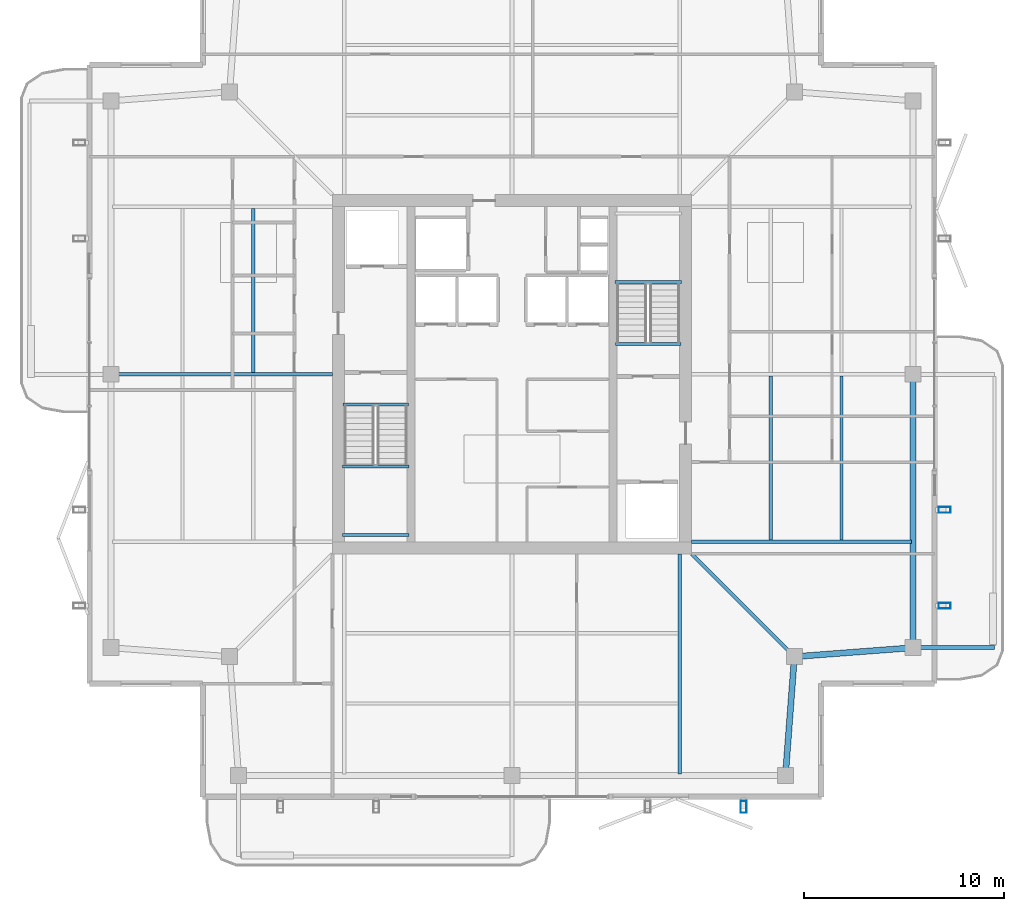
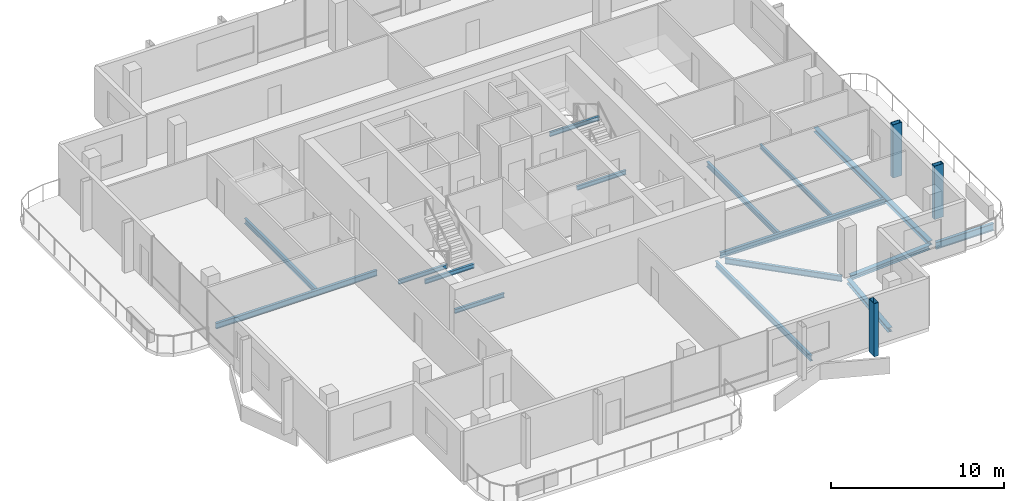
# One storey, part 8 of 22: 16 beams, 3 members.
"""IFC4 building model written with IfcOpenShell, lengths in metres."""

from ifc_helpers import new_model, si_unit, direction, frame, origin, origin_2d, place, context, subcontext, project, spatial, hollow_rectangle, i_section, extrude, material, material_profile, profile_set, type_object, element, save


model = new_model("IFC4")

# Units and contexts
model_context = context("Model", 3, precision=1e-05, world=origin(), true_north=direction((0.0, 1.0)))
body_context = subcontext(model_context, "Body", "Model", "MODEL_VIEW")
ifc_project = project(units=[si_unit("LENGTHUNIT", "METRE"), si_unit("AREAUNIT", "SQUARE_METRE"), si_unit("VOLUMEUNIT", "CUBIC_METRE"), si_unit("PLANEANGLEUNIT", "RADIAN"), si_unit("MASSUNIT", "GRAM", prefix="KILO")], contexts=[model_context])

# Site, building, storey
site_placement = place(None, origin())
site = spatial("IfcSite", under=ifc_project, at=site_placement, CompositionType="ELEMENT")
building_placement = place(site_placement, origin())
building = spatial("IfcBuilding", under=site, at=building_placement, Name="Belovzor Exchange Tower", CompositionType="ELEMENT")
storey_placement = place(building_placement, frame((0.0, 0.0, 348.0)))
storey = spatial("IfcBuildingStorey", under=building, at=storey_placement, Name="L87", CompositionType="ELEMENT", Elevation=348.0)

# Beams
ifc_material_1 = material(Name="Steel S355", Category="steel")
ifc_material_profile_1 = material_profile(ifc_material_1, i_section(OverallWidth=0.199951171875, OverallDepth=0.5, WebThickness=0.01025390625, FlangeThickness=0.01611328125, at=origin_2d()))
ifc_profile_set_1 = profile_set([ifc_material_profile_1], Name="Steel S355")
beam_type_1 = type_object("IfcBeamType", Name="Planted Balcony Cantilever Beam IPE 500", PredefinedType="BEAM", material=ifc_profile_set_1)
beam_1_placement = place(storey_placement, frame((49.1201171875, 15.10009765625, -0.489990234375), z_axis=(1.0, 0.0, 0.0), x_axis=(0.0, 1.0, 0.0)))
element("IfcBeam", 1, at=beam_1_placement, inside=storey, type_object=beam_type_1, Name="BC-500 Planted Balcony Cantilever Beam IPE 500", PredefinedType="BEAM", context=body_context, shape_type="SweptSolid", body=[
    extrude(i_section(OverallWidth=0.199951171875, OverallDepth=0.5, WebThickness=0.01025390625, FlangeThickness=0.01611328125, at=origin_2d()), origin(), (0.0, 0.0, 1.0), 3.849853515625),
])
ifc_material_2 = material(Name="Steel S355", Category="steel")
ifc_material_profile_2 = material_profile(ifc_material_2, i_section(OverallWidth=0.169921875, OverallDepth=0.360107421875, WebThickness=0.008056640625, FlangeThickness=0.0126953125, at=origin_2d()))
ifc_profile_set_2 = profile_set([ifc_material_profile_2], Name="Steel S355")
beam_type_2 = type_object("IfcBeamType", Name="Secondary Infill Floor Joist IPE 360", PredefinedType="BEAM", material=ifc_profile_set_2)
beam_2_placement = place(storey_placement, frame((15.8310546875, 28.889892578125, -0.419921875), z_axis=(0.0, 1.0, 0.0), x_axis=(-1.0, 0.0, 0.0)))
element("IfcBeam", 2, at=beam_2_placement, inside=storey, type_object=beam_type_2, Name="FJ-360 Secondary Infill Floor Joist IPE 360", PredefinedType="BEAM", context=body_context, shape_type="SweptSolid", body=[
    extrude(i_section(OverallWidth=0.169921875, OverallDepth=0.360107421875, WebThickness=0.008056640625, FlangeThickness=0.0126953125, at=origin_2d()), origin(), (0.0, 0.0, 1.0), 8.22021484375),
])
beam_3_placement = place(storey_placement, frame((41.76904296875, 20.489990234375, -0.419921875), z_axis=(0.0, 1.0, 0.0), x_axis=(-1.0, 0.0, 0.0)))
element("IfcBeam", 3, at=beam_3_placement, inside=storey, type_object=beam_type_2, Name="FJ-360 Secondary Infill Floor Joist IPE 360", PredefinedType="BEAM", context=body_context, shape_type="SweptSolid", body=[
    extrude(i_section(OverallWidth=0.169921875, OverallDepth=0.360107421875, WebThickness=0.008056640625, FlangeThickness=0.0126953125, at=origin_2d()), origin(), (0.0, 0.0, 1.0), 8.219970703125),
])
ifc_material_3 = material(Name="Steel S355", Category="steel")
ifc_material_profile_3 = material_profile(ifc_material_3, i_section(OverallWidth=0.14990234375, OverallDepth=0.300048828125, WebThickness=0.007080078125, FlangeThickness=0.0107421875, at=origin_2d()))
ifc_profile_set_3 = profile_set([ifc_material_profile_3], Name="Steel S355")
beam_type_3 = type_object("IfcBeamType", Name="Secondary Trim Floor Joist IPE 300", PredefinedType="BEAM", material=ifc_profile_set_3)
for number, where, z_axis, x_axis, name in (
    (4, (20.320068359375, 24.179931640625, 1.52490234375), (1.0, 0.0, 0.0), (0.0, 1.0, 0.0), "FJ-300 Secondary Trim Floor Joist IPE 300"),
    (5, (20.320068359375, 20.75, 1.52490234375), (1.0, 0.0, 0.0), (0.0, 1.0, 0.0), "FJ-300 Secondary Trim Floor Joist IPE 300"),
):
    element("IfcBeam", number, at=place(storey_placement, frame(where, z_axis=z_axis, x_axis=x_axis)), inside=storey, type_object=beam_type_3, Name=name, PredefinedType="BEAM", context=body_context, shape_type="SweptSolid", body=[
        extrude(i_section(OverallWidth=0.14990234375, OverallDepth=0.300048828125, WebThickness=0.007080078125, FlangeThickness=0.0107421875, at=origin_2d()), origin(), (0.0, 0.0, 1.0), 3.309814453125),
    ])
beam_4_placement = place(storey_placement, frame((20.340087890625, 27.280029296875, -0.389892578125), z_axis=(1.0, 0.0, 0.0), x_axis=(0.0, 1.0, 0.0)))
element("IfcBeam", 6, at=beam_4_placement, inside=storey, type_object=beam_type_3, Name="FJ-300 Secondary Trim Floor Joist IPE 300", PredefinedType="BEAM", context=body_context, shape_type="SweptSolid", body=[
    extrude(i_section(OverallWidth=0.14990234375, OverallDepth=0.300048828125, WebThickness=0.007080078125, FlangeThickness=0.0107421875, at=origin_2d()), origin(), (0.0, 0.0, 1.0), 3.27001953125),
])
beam_5_placement = place(storey_placement, frame((37.280029296875, 33.419921875, 1.52490234375), z_axis=(-1.0, 0.0, 0.0), x_axis=(0.0, -1.0, 0.0)))
element("IfcBeam", 7, at=beam_5_placement, inside=storey, type_object=beam_type_3, Name="FJ-300 Secondary Trim Floor Joist IPE 300", PredefinedType="BEAM", context=body_context, shape_type="SweptSolid", body=[
    extrude(i_section(OverallWidth=0.14990234375, OverallDepth=0.300048828125, WebThickness=0.007080078125, FlangeThickness=0.0107421875, at=origin_2d()), origin(), (0.0, 0.0, 1.0), 3.31005859375),
])
beam_6_placement = place(storey_placement, frame((37.260009765625, 30.320068359375, -0.389892578125), z_axis=(-1.0, 0.0, 0.0), x_axis=(0.0, -1.0, 0.0)))
element("IfcBeam", 8, at=beam_6_placement, inside=storey, type_object=beam_type_3, Name="FJ-300 Secondary Trim Floor Joist IPE 300", PredefinedType="BEAM", context=body_context, shape_type="SweptSolid", body=[
    extrude(i_section(OverallWidth=0.14990234375, OverallDepth=0.300048828125, WebThickness=0.007080078125, FlangeThickness=0.0107421875, at=origin_2d()), origin(), (0.0, 0.0, 1.0), 3.27001953125),
])
beam_7_placement = place(storey_placement, frame((45.297119140625, 20.489990234375, -0.389892578125), z_axis=(0.0, 1.0, 0.0), x_axis=(-1.0, 0.0, 0.0)))
element("IfcBeam", 9, at=beam_7_placement, inside=storey, type_object=beam_type_3, Name="FJ-300 Secondary Trim Floor Joist IPE 300", PredefinedType="BEAM", context=body_context, shape_type="SweptSolid", body=[
    extrude(i_section(OverallWidth=0.14990234375, OverallDepth=0.300048828125, WebThickness=0.007080078125, FlangeThickness=0.0107421875, at=origin_2d()), origin(), (0.0, 0.0, 1.0), 8.219970703125),
])

# Members
ifc_material_4 = material(Name="Extruded Architectural Terracotta on Steel S355 Carrier", Category="masonry")
ifc_material_profile_4 = material_profile(ifc_material_4, hollow_rectangle(XDim=0.300048828125, YDim=0.60009765625, WallThickness=0.01611328125, at=origin_2d()))
ifc_profile_set_4 = profile_set([ifc_material_profile_4], Name="Extruded Architectural Terracotta on Steel S355 Carrier")
member_type = type_object("IfcMemberType", Name="Upper Crown Terracotta Fin Assembly 550", PredefinedType="USERDEFINED", material=ifc_profile_set_4)
for number, where, z_axis, x_axis, name in (
    (10, (50.47509765625, 17.199951171875, -0.239990234375), (0.0, 0.0, 1.0), (0.0, 1.0, 0.0), "FIN-TC055 Terracotta Facade Fin L87 E1"),
    (11, (50.47509765625, 22.0, -0.239990234375), (0.0, 0.0, 1.0), (0.0, 1.0, 0.0), "FIN-TC055 Terracotta Facade Fin L87 E2"),
    (12, (40.39990234375, 7.125, -0.239990234375), (0.0, 0.0, 1.0), (1.0, 0.0, 0.0), "FIN-TC055 Terracotta Facade Fin L87 S4"),
):
    element("IfcMember", number, at=place(storey_placement, frame(where, z_axis=z_axis, x_axis=x_axis)), inside=storey, type_object=member_type, Name=name, ObjectType="FIN", PredefinedType="USERDEFINED", context=body_context, shape_type="SweptSolid", body=[
        extrude(hollow_rectangle(XDim=0.300048828125, YDim=0.60009765625, WallThickness=0.01611328125, at=origin_2d()), origin(), (0.0, 0.0, 1.0), 3.75),
    ])

# Beams
ifc_material_5 = material(Name="Steel S355", Category="steel")
ifc_material_profile_5 = material_profile(ifc_material_5, i_section(OverallWidth=0.179931640625, OverallDepth=0.39990234375, WebThickness=0.008544921875, FlangeThickness=0.013427734375, at=origin_2d()))
ifc_profile_set_5 = profile_set([ifc_material_profile_5], Name="Steel S355")
beam_type_4 = type_object("IfcBeamType", Name="Zone 5-6 Radial Composite Floor Beam IPE 400", PredefinedType="BEAM", material=ifc_profile_set_5)
beam_8_placement = place(storey_placement, frame((37.199951171875, 19.800048828125, -0.43994140625), z_axis=(0.0, -1.0, 0.0), x_axis=(1.0, 0.0, 0.0)))
element("IfcBeam", 13, at=beam_8_placement, inside=storey, type_object=beam_type_4, Name="FB-400 Zone 5-6 Radial Composite Floor Beam IPE 400", PredefinedType="BEAM", context=body_context, shape_type="SweptSolid", body=[
    extrude(i_section(OverallWidth=0.179931640625, OverallDepth=0.39990234375, WebThickness=0.008544921875, FlangeThickness=0.013427734375, at=origin_2d()), origin(), (0.0, 0.0, 1.0), 11.025146484375),
])
beam_9_placement = place(storey_placement, frame((19.800048828125, 28.800048828125, -0.43994140625), z_axis=(-1.0, 0.0, 0.0), x_axis=(0.0, -1.0, 0.0)))
element("IfcBeam", 14, at=beam_9_placement, inside=storey, type_object=beam_type_4, Name="FB-400 Zone 5-6 Radial Composite Floor Beam IPE 400", PredefinedType="BEAM", context=body_context, shape_type="SweptSolid", body=[
    extrude(i_section(OverallWidth=0.179931640625, OverallDepth=0.39990234375, WebThickness=0.008544921875, FlangeThickness=0.013427734375, at=origin_2d()), origin(), (0.0, 0.0, 1.0), 10.748046875),
])
beam_10_placement = place(storey_placement, frame((37.800048828125, 20.39990234375, -0.43994140625), z_axis=(1.0, 0.0, 0.0), x_axis=(0.0, 1.0, 0.0)))
element("IfcBeam", 15, at=beam_10_placement, inside=storey, type_object=beam_type_4, Name="FB-400 Zone 5-6 Radial Composite Floor Beam IPE 400", PredefinedType="BEAM", context=body_context, shape_type="SweptSolid", body=[
    extrude(i_section(OverallWidth=0.179931640625, OverallDepth=0.39990234375, WebThickness=0.008544921875, FlangeThickness=0.013427734375, at=origin_2d()), origin(), (0.0, 0.0, 1.0), 11.02490234375),
])
beam_11_placement = place(storey_placement, frame((37.800048828125, 19.800048828125, -0.43994140625), z_axis=(0.707106781187, -0.707106781187, 0.0), x_axis=(0.707106781187, 0.707106781187, 0.0)))
element("IfcBeam", 16, at=beam_11_placement, inside=storey, type_object=beam_type_4, Name="FB-400 Zone 5-6 Radial Composite Floor Beam IPE 400", PredefinedType="BEAM", context=body_context, shape_type="SweptSolid", body=[
    extrude(i_section(OverallWidth=0.179931640625, OverallDepth=0.39990234375, WebThickness=0.008544921875, FlangeThickness=0.013427734375, at=origin_2d()), origin(), (0.0, 0.0, 1.0), 7.000244140625),
])
ifc_material_6 = material(Name="Steel S355", Category="steel")
ifc_material_profile_6 = material_profile(ifc_material_6, i_section(OverallWidth=0.300048828125, OverallDepth=0.300048828125, WebThickness=0.008544921875, FlangeThickness=0.013916015625, at=origin_2d()))
ifc_profile_set_6 = profile_set([ifc_material_profile_6], Name="Steel S355")
beam_type_5 = type_object("IfcBeamType", Name="Zone 6 Primary Girder HEA 300", PredefinedType="BEAM", material=ifc_profile_set_6)
for number, where, z_axis, x_axis, name in (
    (17, (42.51708984375, 8.9189453125, -0.389892578125), (0.075260983968, 0.99716387033, 0.0), (-0.99716387033, 0.075260983968, 0.0), "FG-Z6 Zone 6 Primary Girder HEA 300"),
    (18, (43.1689453125, 14.6669921875, -0.389892578125), (0.99716387033, 0.075260983968, 0.0), (-0.075260983968, 0.99716387033, 0.0), "FG-Z6 Zone 6 Primary Girder HEA 300"),
):
    element("IfcBeam", number, at=place(storey_placement, frame(where, z_axis=z_axis, x_axis=x_axis)), inside=storey, type_object=beam_type_5, Name=name, PredefinedType="BEAM", context=body_context, shape_type="SweptSolid", body=[
        extrude(i_section(OverallWidth=0.300048828125, OverallDepth=0.300048828125, WebThickness=0.008544921875, FlangeThickness=0.013916015625, at=origin_2d()), origin(), (0.0, 0.0, 1.0), 5.527587890625),
    ])
beam_12_placement = place(storey_placement, frame((48.89990234375, 15.320068359375, -0.389892578125), z_axis=(0.0, 1.0, 0.0), x_axis=(-1.0, 0.0, 0.0)))
element("IfcBeam", 19, at=beam_12_placement, inside=storey, type_object=beam_type_5, Name="FG-Z6 Zone 6 Primary Girder HEA 300", PredefinedType="BEAM", context=body_context, shape_type="SweptSolid", body=[
    extrude(i_section(OverallWidth=0.300048828125, OverallDepth=0.300048828125, WebThickness=0.008544921875, FlangeThickness=0.013916015625, at=origin_2d()), origin(), (0.0, 0.0, 1.0), 13.260009765625),
])

save(model, "model.ifc")
